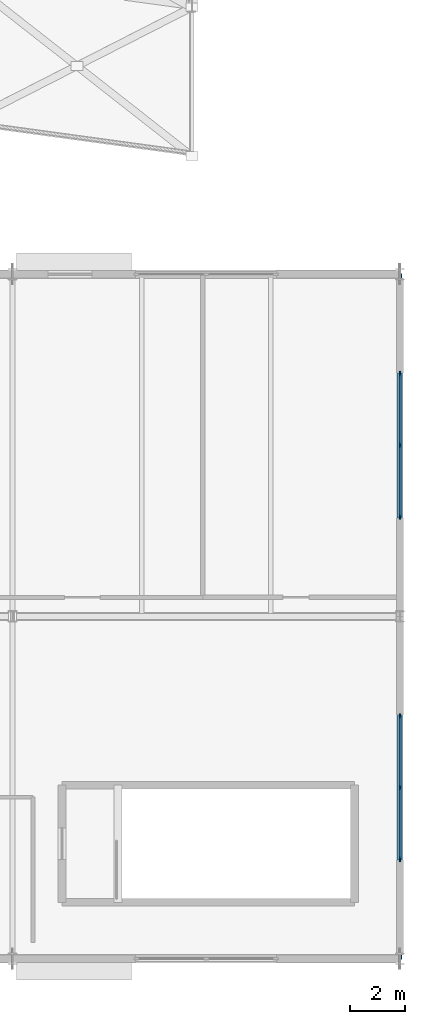
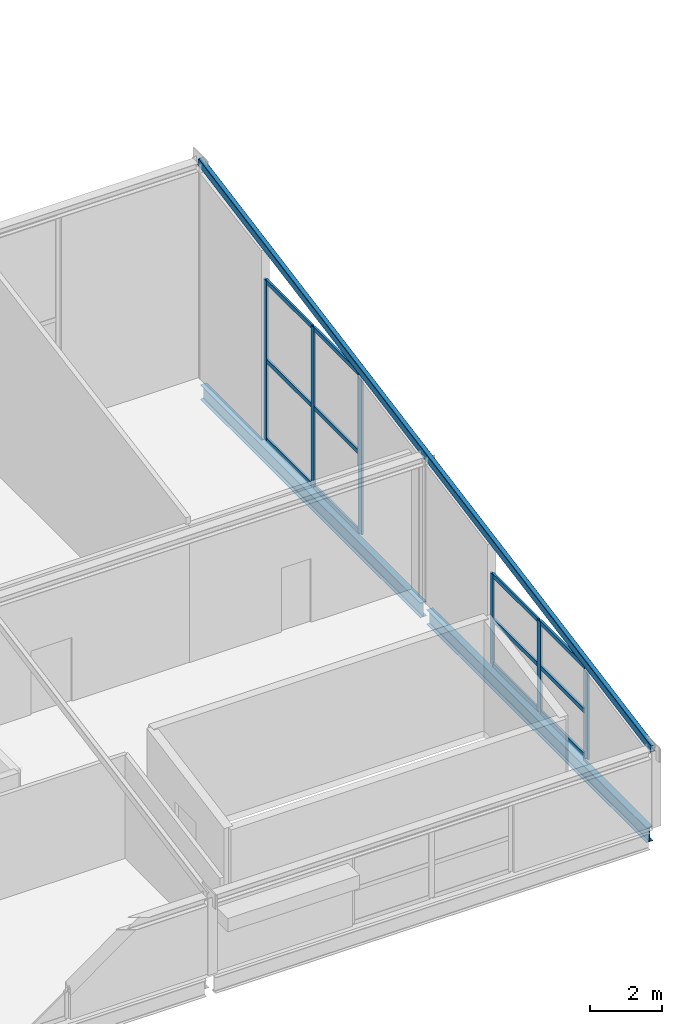
# One storey, part 56 of 100: 19 members, 2 beams, 2 elements without a shape of their own.
"""IFC4 building model written with IfcOpenShell, lengths in metres."""

from ifc_helpers import new_model, si_unit, direction, frame, origin, origin_2d, place, context, subcontext, project, spatial, rectangle, hollow_rectangle, i_section, extrude, material, material_profile, profile_set, type_object, element, aggregate, save


model = new_model("IFC4")

# Units and contexts
model_context = context("Model", 3, precision=1e-05, world=origin(), true_north=direction((0.0, 1.0)))
body_context = subcontext(model_context, "Body", "Model", "MODEL_VIEW")
ifc_project = project(units=[si_unit("LENGTHUNIT", "METRE"), si_unit("AREAUNIT", "SQUARE_METRE"), si_unit("VOLUMEUNIT", "CUBIC_METRE"), si_unit("PLANEANGLEUNIT", "RADIAN"), si_unit("MASSUNIT", "GRAM", prefix="KILO")], contexts=[model_context])

# Site, building, storey
site_placement = place(None, origin())
site = spatial("IfcSite", under=ifc_project, at=site_placement, CompositionType="ELEMENT")
building_placement = place(site_placement, origin())
building = spatial("IfcBuilding", under=site, at=building_placement, Name="Kimbaza Rail Terminus", CompositionType="ELEMENT")
storey_placement = place(building_placement, frame((0.0, 0.0, 10.800048828125)))
storey = spatial("IfcBuildingStorey", under=building, at=storey_placement, Name="L02", CompositionType="ELEMENT", Elevation=10.800048828125)

# Curtain wall, members
ifc_material_1 = material(Name="Anodised aluminium framing and solar low-E glazing", Category="aluminium")
curtain_wall_type = type_object("IfcCurtainWallType", Name="ARC-CW-PV1", PredefinedType="USERDEFINED", material=ifc_material_1)
curtain_wall_1_placement = place(storey_placement, origin())
curtain_wall_1 = element("IfcCurtainWall", 1, at=curtain_wall_1_placement, inside=storey, type_object=curtain_wall_type, Name="Pavilion E Curtain Wall L02.1", ObjectType="STICK CURTAIN WALL", PredefinedType="USERDEFINED")
ifc_material_2 = material(Name="Anodised architectural aluminium", Category="aluminium")
ifc_material_profile_1 = material_profile(ifc_material_2, rectangle(XDim=0.06494140625, YDim=0.175048828125, at=origin_2d()), Name="MULLION 65x175")
ifc_profile_set_1 = profile_set([ifc_material_profile_1], Name="Anodised architectural aluminium")
member_type_1 = type_object("IfcMemberType", Name="ARC-CWM-04", PredefinedType="MULLION", material=ifc_profile_set_1)
member_1_placement = place(storey_placement, frame((214.0, 16.632568359375, 0.0), z_axis=(0.0, 0.0, 1.0), x_axis=(-1.0, 0.0, 0.0)))
member_1 = element("IfcMember", 2, at=member_1_placement, type_object=member_type_1, Name="CW-04 mullion 1", PredefinedType="MULLION", context=body_context, shape_type="SweptSolid", body=[
    extrude(rectangle(XDim=0.06494140625, YDim=0.175048828125, at=origin_2d()), origin(), (0.0, 0.0, 1.0), 3.0673828125),
])
member_2_placement = place(storey_placement, frame((214.0, 19.25, 0.0), z_axis=(0.0, 0.0, 1.0), x_axis=(-1.0, 0.0, 0.0)))
member_2 = element("IfcMember", 3, at=member_2_placement, type_object=member_type_1, Name="CW-04 mullion 2", PredefinedType="MULLION", context=body_context, shape_type="SweptSolid", body=[
    extrude(rectangle(XDim=0.06494140625, YDim=0.175048828125, at=origin_2d()), origin(), (0.0, 0.0, 1.0), 3.0673828125),
])
member_3_placement = place(storey_placement, frame((214.0, 21.867431640625, 0.0), z_axis=(0.0, 0.0, 1.0), x_axis=(-1.0, 0.0, 0.0)))
member_3 = element("IfcMember", 4, at=member_3_placement, type_object=member_type_1, Name="CW-04 mullion 3", PredefinedType="MULLION", context=body_context, shape_type="SweptSolid", body=[
    extrude(rectangle(XDim=0.06494140625, YDim=0.175048828125, at=origin_2d()), origin(), (0.0, 0.0, 1.0), 3.0673828125),
])

curtain_wall_2_placement = place(storey_placement, origin())
curtain_wall_2 = element("IfcCurtainWall", 5, at=curtain_wall_2_placement, inside=storey, type_object=curtain_wall_type, Name="Pavilion E Curtain Wall L02.2", ObjectType="STICK CURTAIN WALL", PredefinedType="USERDEFINED")
member_4_placement = place(storey_placement, frame((214.0, 29.132568359375, 0.0), z_axis=(0.0, 0.0, 1.0), x_axis=(-1.0, 0.0, 0.0)))
member_4 = element("IfcMember", 6, at=member_4_placement, type_object=member_type_1, Name="CW-04 mullion 1", PredefinedType="MULLION", context=body_context, shape_type="SweptSolid", body=[
    extrude(rectangle(XDim=0.06494140625, YDim=0.175048828125, at=origin_2d()), origin(), (0.0, 0.0, 1.0), 5.392333984375),
])
member_5_placement = place(storey_placement, frame((214.0, 31.75, 0.0), z_axis=(0.0, 0.0, 1.0), x_axis=(-1.0, 0.0, 0.0)))
member_5 = element("IfcMember", 7, at=member_5_placement, type_object=member_type_1, Name="CW-04 mullion 2", PredefinedType="MULLION", context=body_context, shape_type="SweptSolid", body=[
    extrude(rectangle(XDim=0.06494140625, YDim=0.175048828125, at=origin_2d()), origin(), (0.0, 0.0, 1.0), 5.392333984375),
])
member_6_placement = place(storey_placement, frame((214.0, 34.367431640625, 0.0), z_axis=(0.0, 0.0, 1.0), x_axis=(-1.0, 0.0, 0.0)))
member_6 = element("IfcMember", 8, at=member_6_placement, type_object=member_type_1, Name="CW-04 mullion 3", PredefinedType="MULLION", context=body_context, shape_type="SweptSolid", body=[
    extrude(rectangle(XDim=0.06494140625, YDim=0.175048828125, at=origin_2d()), origin(), (0.0, 0.0, 1.0), 5.392333984375),
])

# Member
ifc_material_3 = material(Name="Anodised architectural aluminium", Category="aluminium")
ifc_material_profile_2 = material_profile(ifc_material_3, rectangle(XDim=0.06494140625, YDim=0.139892578125, at=origin_2d()), Name="TRANSOM 65x140")
ifc_profile_set_2 = profile_set([ifc_material_profile_2], Name="Anodised architectural aluminium")
member_type_2 = type_object("IfcMemberType", Name="ARC-CWT-04", PredefinedType="USERDEFINED", material=ifc_profile_set_2)
member_7_placement = place(storey_placement, frame((214.0, 16.6650390625, 0.032470703125), z_axis=(0.0, 1.0, 0.0), x_axis=(-1.0, 0.0, 0.0)))
member_7 = element("IfcMember", 9, at=member_7_placement, type_object=member_type_2, Name="CW-04 transom 1.1", ObjectType="TRANSOM", PredefinedType="USERDEFINED", context=body_context, shape_type="SweptSolid", body=[
    extrude(rectangle(XDim=0.06494140625, YDim=0.139892578125, at=origin_2d()), origin(), (0.0, 0.0, 1.0), 2.552490234375),
])

member_8_placement = place(storey_placement, frame((214.0, 16.6650390625, 1.53369140625), z_axis=(0.0, 1.0, 0.0), x_axis=(-1.0, 0.0, 0.0)))
member_8 = element("IfcMember", 10, at=member_8_placement, type_object=member_type_2, Name="CW-04 transom 1.2", ObjectType="TRANSOM", PredefinedType="USERDEFINED", context=body_context, shape_type="SweptSolid", body=[
    extrude(rectangle(XDim=0.06494140625, YDim=0.139892578125, at=origin_2d()), origin(), (0.0, 0.0, 1.0), 2.552490234375),
])

member_9_placement = place(storey_placement, frame((214.0, 16.6650390625, 3.034912109375), z_axis=(0.0, 1.0, 0.0), x_axis=(-1.0, 0.0, 0.0)))
member_9 = element("IfcMember", 11, at=member_9_placement, type_object=member_type_2, Name="CW-04 transom 1.3", ObjectType="TRANSOM", PredefinedType="USERDEFINED", context=body_context, shape_type="SweptSolid", body=[
    extrude(rectangle(XDim=0.06494140625, YDim=0.139892578125, at=origin_2d()), origin(), (0.0, 0.0, 1.0), 2.552490234375),
])

member_10_placement = place(storey_placement, frame((214.0, 19.282470703125, 0.032470703125), z_axis=(0.0, 1.0, 0.0), x_axis=(-1.0, 0.0, 0.0)))
member_10 = element("IfcMember", 12, at=member_10_placement, type_object=member_type_2, Name="CW-04 transom 2.1", ObjectType="TRANSOM", PredefinedType="USERDEFINED", context=body_context, shape_type="SweptSolid", body=[
    extrude(rectangle(XDim=0.06494140625, YDim=0.139892578125, at=origin_2d()), origin(), (0.0, 0.0, 1.0), 2.552490234375),
])

member_11_placement = place(storey_placement, frame((214.0, 19.282470703125, 1.53369140625), z_axis=(0.0, 1.0, 0.0), x_axis=(-1.0, 0.0, 0.0)))
member_11 = element("IfcMember", 13, at=member_11_placement, type_object=member_type_2, Name="CW-04 transom 2.2", ObjectType="TRANSOM", PredefinedType="USERDEFINED", context=body_context, shape_type="SweptSolid", body=[
    extrude(rectangle(XDim=0.06494140625, YDim=0.139892578125, at=origin_2d()), origin(), (0.0, 0.0, 1.0), 2.552490234375),
])

member_12_placement = place(storey_placement, frame((214.0, 19.282470703125, 3.034912109375), z_axis=(0.0, 1.0, 0.0), x_axis=(-1.0, 0.0, 0.0)))
member_12 = element("IfcMember", 14, at=member_12_placement, type_object=member_type_2, Name="CW-04 transom 2.3", ObjectType="TRANSOM", PredefinedType="USERDEFINED", context=body_context, shape_type="SweptSolid", body=[
    extrude(rectangle(XDim=0.06494140625, YDim=0.139892578125, at=origin_2d()), origin(), (0.0, 0.0, 1.0), 2.552490234375),
])

aggregate(curtain_wall_1, [member_1, member_2, member_3, member_7, member_8, member_9, member_10, member_11, member_12])

member_13_placement = place(storey_placement, frame((214.0, 29.1650390625, 0.032470703125), z_axis=(0.0, 1.0, 0.0), x_axis=(-1.0, 0.0, 0.0)))
member_13 = element("IfcMember", 15, at=member_13_placement, type_object=member_type_2, Name="CW-04 transom 1.1", ObjectType="TRANSOM", PredefinedType="USERDEFINED", context=body_context, shape_type="SweptSolid", body=[
    extrude(rectangle(XDim=0.06494140625, YDim=0.139892578125, at=origin_2d()), origin(), (0.0, 0.0, 1.0), 2.552490234375),
])

member_14_placement = place(storey_placement, frame((214.0, 29.1650390625, 2.696044921875), z_axis=(0.0, 1.0, 0.0), x_axis=(-1.0, 0.0, 0.0)))
member_14 = element("IfcMember", 16, at=member_14_placement, type_object=member_type_2, Name="CW-04 transom 1.2", ObjectType="TRANSOM", PredefinedType="USERDEFINED", context=body_context, shape_type="SweptSolid", body=[
    extrude(rectangle(XDim=0.06494140625, YDim=0.139892578125, at=origin_2d()), origin(), (0.0, 0.0, 1.0), 2.552490234375),
])

member_15_placement = place(storey_placement, frame((214.0, 29.1650390625, 5.35986328125), z_axis=(0.0, 1.0, 0.0), x_axis=(-1.0, 0.0, 0.0)))
member_15 = element("IfcMember", 17, at=member_15_placement, type_object=member_type_2, Name="CW-04 transom 1.3", ObjectType="TRANSOM", PredefinedType="USERDEFINED", context=body_context, shape_type="SweptSolid", body=[
    extrude(rectangle(XDim=0.06494140625, YDim=0.139892578125, at=origin_2d()), origin(), (0.0, 0.0, 1.0), 2.552490234375),
])

member_16_placement = place(storey_placement, frame((214.0, 31.782470703125, 0.032470703125), z_axis=(0.0, 1.0, 0.0), x_axis=(-1.0, 0.0, 0.0)))
member_16 = element("IfcMember", 18, at=member_16_placement, type_object=member_type_2, Name="CW-04 transom 2.1", ObjectType="TRANSOM", PredefinedType="USERDEFINED", context=body_context, shape_type="SweptSolid", body=[
    extrude(rectangle(XDim=0.06494140625, YDim=0.139892578125, at=origin_2d()), origin(), (0.0, 0.0, 1.0), 2.552490234375),
])

member_17_placement = place(storey_placement, frame((214.0, 31.782470703125, 2.696044921875), z_axis=(0.0, 1.0, 0.0), x_axis=(-1.0, 0.0, 0.0)))
member_17 = element("IfcMember", 19, at=member_17_placement, type_object=member_type_2, Name="CW-04 transom 2.2", ObjectType="TRANSOM", PredefinedType="USERDEFINED", context=body_context, shape_type="SweptSolid", body=[
    extrude(rectangle(XDim=0.06494140625, YDim=0.139892578125, at=origin_2d()), origin(), (0.0, 0.0, 1.0), 2.552490234375),
])

member_18_placement = place(storey_placement, frame((214.0, 31.782470703125, 5.35986328125), z_axis=(0.0, 1.0, 0.0), x_axis=(-1.0, 0.0, 0.0)))
member_18 = element("IfcMember", 20, at=member_18_placement, type_object=member_type_2, Name="CW-04 transom 2.3", ObjectType="TRANSOM", PredefinedType="USERDEFINED", context=body_context, shape_type="SweptSolid", body=[
    extrude(rectangle(XDim=0.06494140625, YDim=0.139892578125, at=origin_2d()), origin(), (0.0, 0.0, 1.0), 2.552490234375),
])

aggregate(curtain_wall_2, [member_4, member_5, member_6, member_13, member_14, member_15, member_16, member_17, member_18])

# Beams
ifc_material_4 = material(Name="Steel S355", Category="steel")
ifc_material_profile_3 = material_profile(ifc_material_4, i_section(OverallWidth=0.199951171875, OverallDepth=0.5, WebThickness=0.01025390625, FlangeThickness=0.01611328125, FilletRadius=0.02099609375, at=origin_2d()), Name="IPE 500")
ifc_profile_set_3 = profile_set([ifc_material_profile_3], Name="Steel S355")
beam_type = type_object("IfcBeamType", Name="STR-BM-IPE500", PredefinedType="BEAM", material=ifc_profile_set_3)
for number, where, z_axis, x_axis, name in (
    (21, (214.0, 13.175048828125, -0.469970703125), (0.0, 1.0, 0.0), (-1.0, 0.0, 0.0), "Beam BM-V4Y-L02-4-0"),
    (22, (214.0, 25.675048828125, -0.469970703125), (0.0, 1.0, 0.0), (-1.0, 0.0, 0.0), "Beam BM-V4Y-L02-4-1"),
):
    element("IfcBeam", number, at=place(storey_placement, frame(where, z_axis=z_axis, x_axis=x_axis)), inside=storey, type_object=beam_type, Name=name, PredefinedType="BEAM", context=body_context, shape_type="SweptSolid", body=[
        extrude(i_section(OverallWidth=0.199951171875, OverallDepth=0.5, WebThickness=0.01025390625, FlangeThickness=0.01611328125, FilletRadius=0.02099609375, at=origin_2d()), origin(), (0.0, 0.0, 1.0), 12.14990234375),
    ])

# Member
ifc_material_5 = material(Name="White painted steel S355", Category="steel")
ifc_material_profile_4 = material_profile(ifc_material_5, hollow_rectangle(XDim=0.14990234375, YDim=0.25, WallThickness=0.008056640625, InnerFilletRadius=0.011962890625, OuterFilletRadius=0.02001953125, at=origin_2d()), Name="RHS 250x150x8")
ifc_profile_set_4 = profile_set([ifc_material_profile_4], Name="White painted steel S355")
member_type_3 = type_object("IfcMemberType", Name="STR-MB-RHS250", PredefinedType="STRUT", material=ifc_profile_set_4)
member_19_placement = place(storey_placement, frame((214.0, 13.0, 2.530029296875), z_axis=(0.0, 0.983138961707, 0.182860006491), x_axis=(-1.0, 0.0, 0.0)))
element("IfcMember", 23, at=member_19_placement, inside=storey, type_object=member_type_3, Name="Pavilion Mono-Pitch Rafter 4", PredefinedType="STRUT", context=body_context, shape_type="SweptSolid", body=[
    extrude(hollow_rectangle(XDim=0.14990234375, YDim=0.25, WallThickness=0.008056640625, InnerFilletRadius=0.011962890625, OuterFilletRadius=0.02001953125, at=origin_2d()), origin(), (0.0, 0.0, 1.0), 25.4287109375),
])

save(model, "model.ifc")
